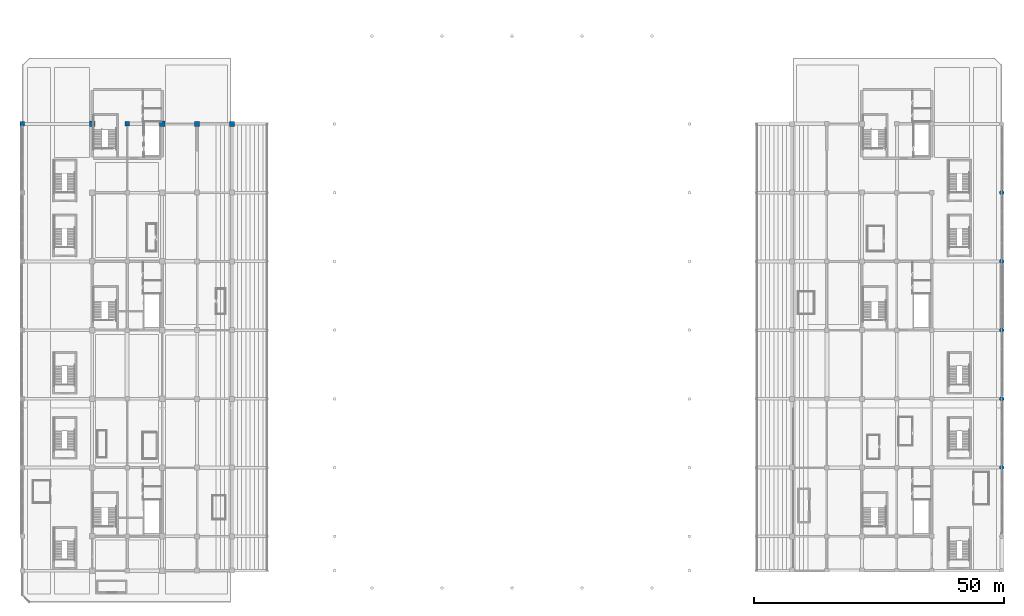
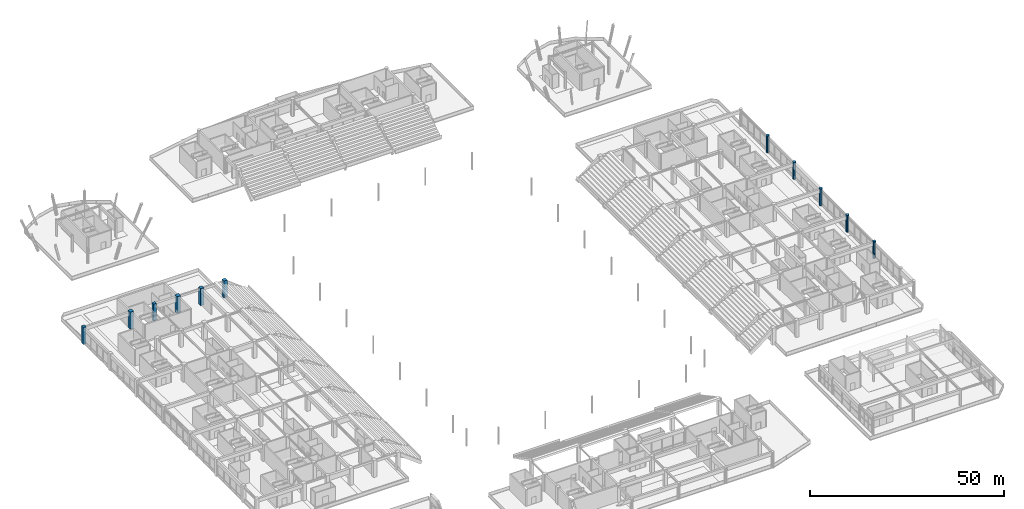
# One storey, part 15 of 117: 11 columns.
"""IFC4 building model written with IfcOpenShell, lengths in metres."""

from ifc_helpers import new_model, si_unit, direction, frame, origin, origin_2d, place, context, subcontext, project, spatial, rectangle, circle, extrude, material, material_profile, profile_set, type_object, element, save


model = new_model("IFC4")

# Units and contexts
model_context = context("Model", 3, precision=1e-05, world=origin(), true_north=direction((0.0, 1.0)))
body_context = subcontext(model_context, "Body", "Model", "MODEL_VIEW")
ifc_project = project(units=[si_unit("LENGTHUNIT", "METRE"), si_unit("AREAUNIT", "SQUARE_METRE"), si_unit("VOLUMEUNIT", "CUBIC_METRE"), si_unit("PLANEANGLEUNIT", "RADIAN"), si_unit("MASSUNIT", "GRAM", prefix="KILO")], contexts=[model_context])

# Site, building, storey
site_placement = place(None, origin())
site = spatial("IfcSite", under=ifc_project, at=site_placement, CompositionType="ELEMENT")
building_placement = place(site_placement, origin())
building = spatial("IfcBuilding", under=site, at=building_placement, Name="Linyun Crest Stadium", CompositionType="ELEMENT")
storey_placement = place(building_placement, frame((0.0, 0.0, 6.0)))
storey = spatial("IfcBuildingStorey", under=building, at=storey_placement, Name="L02", CompositionType="ELEMENT", Elevation=6.0)

# Columns
ifc_material_1 = material(Name="Concrete C50", Category="concrete")
ifc_material_profile_1 = material_profile(ifc_material_1, rectangle(XDim=0.89990234375, YDim=0.89990234375, at=origin_2d()), Name="RC 900x900")
ifc_profile_set_1 = profile_set([ifc_material_profile_1], Name="Concrete C50")
column_type_1 = type_object("IfcColumnType", Name="C04", PredefinedType="COLUMN", material=ifc_profile_set_1)
for number, where, z_axis, x_axis, name in (
    (1, (-98.0, 43.375, 0.0), (0.0, 0.0, 1.0), (1.0, 0.0, 0.0), "Column C04 L02 45"),
    (2, (-77.0, 43.375, 0.0), (0.0, 0.0, 1.0), (1.0, 0.0, 0.0), "Column C04 L02 142"),
):
    element("IfcColumn", number, at=place(storey_placement, frame(where, z_axis=z_axis, x_axis=x_axis)), inside=storey, type_object=column_type_1, Name=name, PredefinedType="COLUMN", context=body_context, shape_type="SweptSolid", body=[
        extrude(rectangle(XDim=0.89990234375, YDim=0.89990234375, at=origin_2d()), origin(), (0.0, 0.0, 1.0), 5.39794921875),
    ])
ifc_material_2 = material(Name="Concrete C50", Category="concrete")
ifc_material_profile_2 = material_profile(ifc_material_2, rectangle(XDim=1.0, YDim=1.0, at=origin_2d()), Name="RC 1000x1000")
ifc_profile_set_2 = profile_set([ifc_material_profile_2], Name="Concrete C50")
column_type_2 = type_object("IfcColumnType", Name="C05", PredefinedType="COLUMN", material=ifc_profile_set_2)
for number, where, z_axis, x_axis, name in (
    (3, (-63.0, 43.375, 0.0), (0.0, 0.0, 1.0), (1.0, 0.0, 0.0), "Column C05 L02 238"),
    (4, (-56.0, 43.375, 0.0), (0.0, 0.0, 1.0), (1.0, 0.0, 0.0), "Column C05 L02 271"),
):
    element("IfcColumn", number, at=place(storey_placement, frame(where, z_axis=z_axis, x_axis=x_axis)), inside=storey, type_object=column_type_2, Name=name, PredefinedType="COLUMN", context=body_context, shape_type="SweptSolid", body=[
        extrude(rectangle(XDim=1.0, YDim=1.0, at=origin_2d()), origin(), (0.0, 0.0, 1.0), 5.39794921875),
    ])
ifc_material_3 = material(Name="Concrete C50", Category="concrete")
ifc_material_profile_3 = material_profile(ifc_material_3, rectangle(XDim=1.10009765625, YDim=1.10009765625, at=origin_2d()), Name="RC 1100x1100")
ifc_profile_set_3 = profile_set([ifc_material_profile_3], Name="Concrete C50")
column_type_3 = type_object("IfcColumnType", Name="C06", PredefinedType="COLUMN", material=ifc_profile_set_3)
for number, where, z_axis, x_axis, name in (
    (5, (-84.0, 43.375, 0.0), (0.0, 0.0, 1.0), (1.0, 0.0, 0.0), "Column C06 L02 100"),
    (6, (-70.0, 43.375, 0.0), (0.0, 0.0, 1.0), (1.0, 0.0, 0.0), "Column C06 L02 196"),
):
    element("IfcColumn", number, at=place(storey_placement, frame(where, z_axis=z_axis, x_axis=x_axis)), inside=storey, type_object=column_type_3, Name=name, PredefinedType="COLUMN", context=body_context, shape_type="SweptSolid", body=[
        extrude(rectangle(XDim=1.10009765625, YDim=1.10009765625, at=origin_2d()), origin(), (0.0, 0.0, 1.0), 5.39794921875),
    ])
ifc_material_4 = material(Name="Concrete C50", Category="concrete")
ifc_material_profile_4 = material_profile(ifc_material_4, circle(Radius=0.449951171875, at=origin_2d()), Name="RC D900")
ifc_profile_set_4 = profile_set([ifc_material_profile_4], Name="Concrete C50")
column_type_4 = type_object("IfcColumnType", Name="C08", PredefinedType="COLUMN", material=ifc_profile_set_4)
for number, where, z_axis, x_axis, name in (
    (7, (98.0, -25.375, 0.0), (0.0, 0.0, 1.0), (1.0, 0.0, 0.0), "Column C08 L02 541"),
    (8, (98.0, -11.625, 0.0), (0.0, 0.0, 1.0), (1.0, 0.0, 0.0), "Column C08 L02 546"),
    (9, (98.0, 2.125, 0.0), (0.0, 0.0, 1.0), (1.0, 0.0, 0.0), "Column C08 L02 551"),
    (10, (98.0, 15.875, 0.0), (0.0, 0.0, 1.0), (1.0, 0.0, 0.0), "Column C08 L02 556"),
    (11, (98.0, 29.625, 0.0), (0.0, 0.0, 1.0), (1.0, 0.0, 0.0), "Column C08 L02 561"),
):
    element("IfcColumn", number, at=place(storey_placement, frame(where, z_axis=z_axis, x_axis=x_axis)), inside=storey, type_object=column_type_4, Name=name, PredefinedType="COLUMN", context=body_context, shape_type="SweptSolid", body=[
        extrude(circle(Radius=0.449951171875, at=origin_2d()), origin(), (0.0, 0.0, 1.0), 5.39794921875),
    ])

save(model, "model.ifc")
